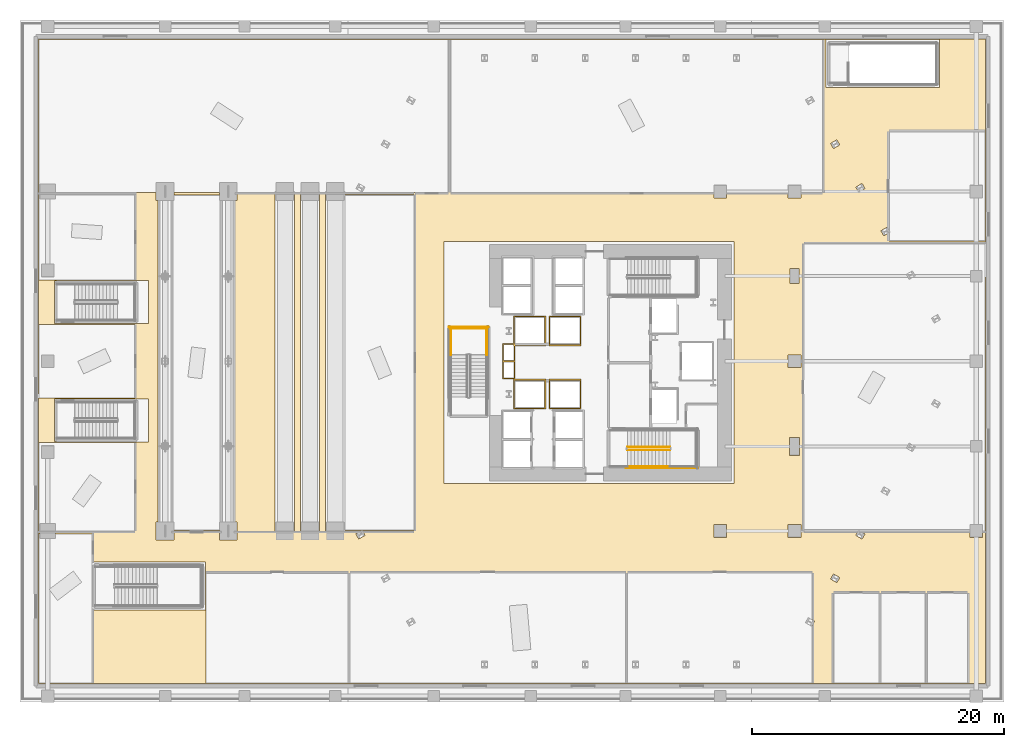
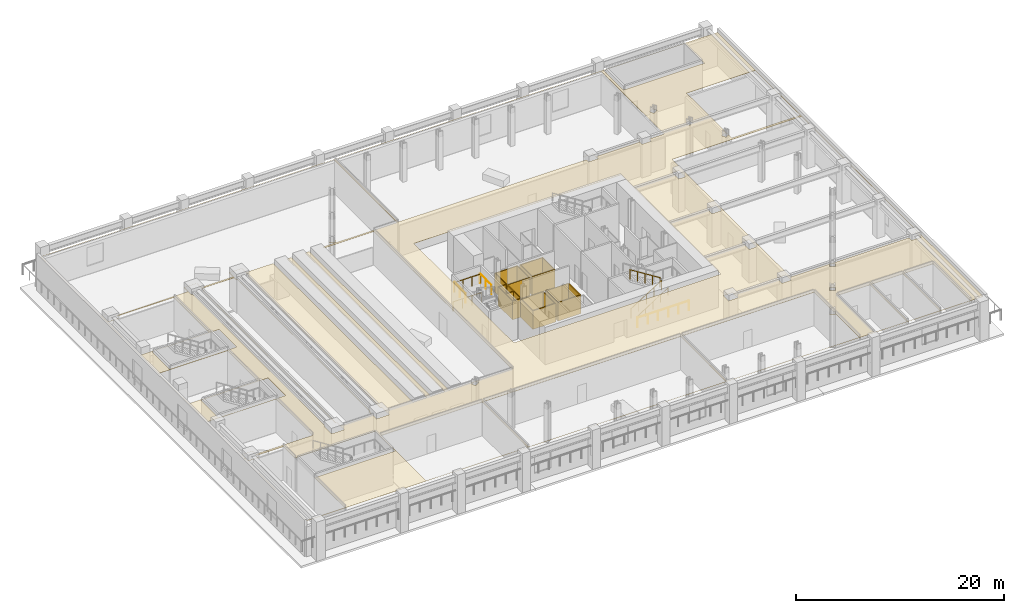
# One storey, part 18 of 24: 8 railings, 5 coverings.
"""IFC4 building model written with IfcOpenShell, lengths in metres."""

from ifc_helpers import new_model, si_unit, direction, frame, origin, origin_2d, place, context, subcontext, project, spatial, polyline, circle, outline, extrude, material, layer, layer_set, type_object, element, save


model = new_model("IFC4")

# Units and contexts
model_context = context("Model", 3, precision=1e-05, world=origin(), true_north=direction((0.0, 1.0)))
body_context = subcontext(model_context, "Body", "Model", "MODEL_VIEW")
ifc_project = project(units=[si_unit("LENGTHUNIT", "METRE"), si_unit("AREAUNIT", "SQUARE_METRE"), si_unit("VOLUMEUNIT", "CUBIC_METRE"), si_unit("PLANEANGLEUNIT", "RADIAN"), si_unit("MASSUNIT", "GRAM", prefix="KILO")], contexts=[model_context])

# Site, building, storey
site_placement = place(None, origin())
site = spatial("IfcSite", under=ifc_project, at=site_placement, CompositionType="ELEMENT")
building_placement = place(site_placement, origin())
building = spatial("IfcBuilding", under=site, at=building_placement, Name="Valkerne Bourse Tower", CompositionType="ELEMENT")
storey_placement = place(building_placement, frame((0.0, 0.0, 19.39990234375)))
storey = spatial("IfcBuildingStorey", under=building, at=storey_placement, Name="L04", CompositionType="ELEMENT", Elevation=19.39990234375)

# Coverings
ifc_material_1 = material(Name="Bronze Anodised Aluminium AA 6063-T6", Category="aluminium")
ifc_layer_1 = layer(ifc_material_1, 0.030029296875)
ifc_layer_set_1 = layer_set([ifc_layer_1], Name="Bronze Anodised Aluminium AA 6063-T6")
covering_type_1 = type_object("IfcCoveringType", Name="COV-CEIL-METAL", PredefinedType="CEILING", material=ifc_layer_set_1)
covering_1_placement = place(storey_placement, frame((0.0, 0.0, 3.9501953125)))
element("IfcCovering", 1, at=covering_1_placement, inside=storey, type_object=covering_type_1, Name="L04 Suspended Ceiling 17", PredefinedType="CEILING", context=body_context, shape_type="SweptSolid", body=[
    extrude(outline(polyline([(76.5458984375, 1.4541015625), (1.4541015625, 1.4541015625), (1.4541015625, 52.5458984375), (76.5458984375, 52.5458984375), (76.5458984375, 1.4541015625)]), holes=[polyline([(62.1376953125, 36.3095703125), (62.140380859375, 13.53759765625), (66.423583984375, 13.535888671875), (66.468017578125, 13.6015625), (66.481201171875, 13.607421875), (66.614013671875, 13.535888671875), (75.271728515625, 13.535888671875), (75.283935546875, 13.54833984375), (75.283935546875, 14.046142578125), (75.293701171875, 14.0625), (76.297119140625, 14.06591796875), (76.310791015625, 14.060302734375), (76.31591796875, 14.0498046875), (76.31689453125, 13.5439453125), (76.328857421875, 13.535888671875), (76.51220703125, 13.54052734375), (76.513916015625, 36.301513671875), (76.502685546875, 36.31396484375), (62.1376953125, 36.3095703125)]), polyline([(76.501220703125, 45.214111328125), (68.88818359375, 45.210205078125), (68.885986328125, 37.4140625), (68.98583984375, 37.231689453125), (68.978515625, 37.216552734375), (68.885986328125, 37.158203125), (68.8896484375, 36.538330078125), (76.51171875, 36.539794921875), (76.513671875, 45.204833984375), (76.501220703125, 45.214111328125)]), polyline([(71.90869140625, 8.614013671875), (71.896728515625, 8.60595703125), (71.89599609375, 1.498779296875), (71.904052734375, 1.48681640625), (75.101318359375, 1.486083984375), (75.11328125, 1.493896484375), (75.109619140625, 8.6123046875), (71.90869140625, 8.614013671875)]), polyline([(68.2587890625, 8.614013671875), (68.247314453125, 8.60693359375), (68.24609375, 1.498779296875), (68.2529296875, 1.4873046875), (71.751220703125, 1.486083984375), (71.7626953125, 1.492919921875), (71.760986328125, 8.611083984375), (68.2587890625, 8.614013671875)]), polyline([(64.498779296875, 8.614013671875), (64.4873046875, 8.60693359375), (64.486083984375, 1.498779296875), (64.492919921875, 1.4873046875), (68.10107421875, 1.486083984375), (68.11279296875, 1.492919921875), (68.11181640625, 8.6103515625), (64.498779296875, 8.614013671875)]), polyline([(34.135986328125, 52.50146484375), (34.135986328125, 40.37890625), (34.14404296875, 40.36669921875), (54.9716796875, 40.365966796875), (54.98388671875, 40.37841796875), (54.98388671875, 40.946044921875), (54.993896484375, 40.96240234375), (55.99755859375, 40.966064453125), (56.00927734375, 40.9619140625), (56.015869140625, 40.949462890625), (56.01611328125, 40.37841796875), (56.027099609375, 40.365966796875), (60.872802734375, 40.365966796875), (60.884033203125, 40.37841796875), (60.884033203125, 40.946044921875), (60.893798828125, 40.96240234375), (61.897705078125, 40.966064453125), (61.9091796875, 40.9619140625), (61.916015625, 40.949462890625), (61.916015625, 40.378662109375), (61.925048828125, 40.366455078125), (63.601318359375, 40.365966796875), (63.61328125, 40.3740234375), (63.614013671875, 52.501220703125), (63.60595703125, 52.51318359375), (34.146240234375, 52.513916015625), (34.135986328125, 52.50146484375)]), polyline([(48.14599609375, 10.201416015625), (48.14599609375, 1.498779296875), (48.153076171875, 1.4873046875), (62.801025390625, 1.486083984375), (62.812744140625, 1.492919921875), (62.81396484375, 6.02294921875), (62.79248046875, 6.03271484375), (62.76123046875, 5.982421875), (62.74169921875, 5.9794921875), (62.252685546875, 6.26171875), (62.243408203125, 6.2783203125), (62.479736328125, 6.68505859375), (62.49560546875, 6.683837890625), (62.7958984375, 6.510498046875), (62.81396484375, 6.52099609375), (62.81396484375, 10.201171875), (62.806884765625, 10.212890625), (48.1572265625, 10.214111328125), (48.14599609375, 10.201416015625)]), polyline([(48.013916015625, 10.201171875), (48.006103515625, 10.213134765625), (26.15869140625, 10.214111328125), (26.146728515625, 10.2060546875), (26.14599609375, 1.498779296875), (26.154052734375, 1.48681640625), (48.00146484375, 1.486083984375), (48.013916015625, 1.497314453125), (48.013916015625, 10.201171875)]), polyline([(25.751953125, 40.1640625), (25.751953125, 40.365966796875), (27.115966796875, 40.36767578125), (27.115234375, 40.39111328125), (26.61279296875, 40.6865234375), (26.614013671875, 40.702392578125), (26.838134765625, 41.09033203125), (26.854736328125, 41.099609375), (27.360107421875, 40.80615234375), (27.35888671875, 40.790283203125), (27.134033203125, 40.40087890625), (27.118408203125, 40.385986328125), (27.12841796875, 40.365966796875), (33.96240234375, 40.370361328125), (33.964111328125, 52.501220703125), (33.9560546875, 52.51318359375), (1.498779296875, 52.513916015625), (1.48681640625, 52.506103515625), (1.490478515625, 40.367919921875), (1.572509765625, 40.365966796875), (1.583984375, 40.37744140625), (1.583984375, 41.046142578125), (1.59375, 41.0625), (2.797119140625, 41.06591796875), (2.810546875, 41.060546875), (2.81591796875, 41.047119140625), (2.81591796875, 40.37841796875), (2.8271484375, 40.365966796875), (10.772705078125, 40.365966796875), (10.783935546875, 40.37841796875), (10.783935546875, 41.14599609375), (10.793701171875, 41.16259765625), (12.197265625, 41.166015625), (12.21044921875, 41.160400390625), (12.216064453125, 41.147216796875), (12.216064453125, 40.378662109375), (12.226318359375, 40.3662109375), (15.772705078125, 40.365966796875), (15.783935546875, 40.37841796875), (15.783935546875, 41.14599609375), (15.793701171875, 41.16259765625), (17.197265625, 41.166015625), (17.21044921875, 41.160400390625), (17.216064453125, 41.147216796875), (17.216064453125, 40.378662109375), (17.22509765625, 40.366455078125), (20.22802734375, 40.365966796875), (20.22802734375, 13.5458984375), (21.756103515625, 13.5458984375), (21.756103515625, 40.365966796875), (22.22705078125, 40.365966796875), (22.22705078125, 13.5458984375), (23.7548828125, 13.5458984375), (23.7548828125, 40.365966796875), (24.22412109375, 40.365966796875), (24.22412109375, 13.5458984375), (25.751953125, 13.5458984375), (25.751953125, 13.5859375), (27.072509765625, 13.5859375), (27.118408203125, 13.607421875), (27.1484375, 13.5859375), (31.251220703125, 13.5859375), (31.26318359375, 13.593994140625), (31.263916015625, 40.1513671875), (31.25390625, 40.163818359375), (25.751953125, 40.1640625)]), polyline([(26.00146484375, 10.214111328125), (14.73974609375, 10.211669921875), (14.73828125, 1.48974609375), (26.01025390625, 1.48828125), (26.013916015625, 10.203857421875), (26.00146484375, 10.214111328125)]), polyline([(15.946044921875, 14.25390625), (15.7958984375, 14.25390625), (15.7958984375, 12.845947265625), (17.2041015625, 12.845947265625), (17.2041015625, 14.25390625), (17.053955078125, 14.25390625), (17.053955078125, 39.74609375), (17.2041015625, 39.74609375), (17.2041015625, 41.154052734375), (15.7958984375, 41.154052734375), (15.7958984375, 39.74609375), (15.946044921875, 39.74609375), (15.946044921875, 14.25390625)]), polyline([(15.89404296875, 39.72265625), (15.8828125, 39.73388671875), (15.799560546875, 39.734619140625), (15.785400390625, 39.74755859375), (15.783935546875, 40.151611328125), (15.772705078125, 40.1640625), (12.227294921875, 40.1640625), (12.216064453125, 40.151611328125), (12.214599609375, 39.74755859375), (12.200439453125, 39.734619140625), (12.1171875, 39.73388671875), (12.10595703125, 39.721435546875), (12.10595703125, 14.27734375), (12.1171875, 14.26611328125), (12.20166015625, 14.265380859375), (12.21533203125, 14.251708984375), (12.216064453125, 13.598388671875), (12.228271484375, 13.5859375), (15.773681640625, 13.586181640625), (15.783935546875, 13.5986328125), (15.78466796875, 14.251708984375), (15.79833984375, 14.265380859375), (15.892333984375, 14.270751953125), (15.89404296875, 39.72265625)]), polyline([(10.946044921875, 14.25390625), (10.7958984375, 14.25390625), (10.7958984375, 12.845947265625), (12.2041015625, 12.845947265625), (12.2041015625, 14.25390625), (12.053955078125, 14.25390625), (12.053955078125, 39.74609375), (12.2041015625, 39.74609375), (12.2041015625, 41.154052734375), (10.7958984375, 41.154052734375), (10.7958984375, 39.74609375), (10.946044921875, 39.74609375), (10.946044921875, 14.25390625)]), polyline([(2.74609375, 33.35400390625), (2.74609375, 29.99609375), (9.35400390625, 29.99609375), (9.35400390625, 30.0), (10.199951171875, 30.0), (10.199951171875, 33.39990234375), (2.89990234375, 33.39990234375), (2.89990234375, 33.35400390625), (2.74609375, 33.35400390625)]), polyline([(2.74609375, 24.00390625), (2.74609375, 20.64599609375), (2.89990234375, 20.64599609375), (2.89990234375, 20.60009765625), (10.199951171875, 20.60009765625), (10.199951171875, 24.0), (9.35400390625, 24.0), (9.35400390625, 24.00390625), (2.74609375, 24.00390625)]), polyline([(9.1103515625, 40.211669921875), (2.8271484375, 40.214111328125), (2.81591796875, 40.201416015625), (2.81591796875, 39.8505859375), (2.8037109375, 39.835205078125), (1.602294921875, 39.833984375), (1.5908203125, 39.838134765625), (1.583984375, 39.8505859375), (1.58349609375, 40.204833984375), (1.5712890625, 40.214111328125), (1.48828125, 40.210205078125), (1.48974609375, 33.438232421875), (9.10107421875, 33.43603515625), (9.11279296875, 33.443115234375), (9.1103515625, 40.211669921875)]), polyline([(1.49853515625, 24.0859375), (9.1103515625, 24.08837890625), (9.11181640625, 29.910400390625), (1.48974609375, 29.91162109375), (1.486083984375, 24.09619140625), (1.49853515625, 24.0859375)]), polyline([(1.497802734375, 13.535888671875), (1.5712890625, 13.535888671875), (1.583740234375, 13.546142578125), (1.583984375, 14.14599609375), (1.59375, 14.16259765625), (2.797119140625, 14.166015625), (2.810546875, 14.160400390625), (2.81591796875, 14.147216796875), (2.81591796875, 13.548583984375), (2.8271484375, 13.535888671875), (9.111083984375, 13.538818359375), (9.111083984375, 20.56103515625), (1.489013671875, 20.56103515625), (1.48681640625, 13.544189453125), (1.497802734375, 13.535888671875)]), polyline([(1.48681640625, 1.493896484375), (1.498779296875, 1.486083984375), (5.72607421875, 1.48681640625), (5.73388671875, 1.498779296875), (5.733642578125, 7.300048828125), (14.699951171875, 7.300048828125), (14.699951171875, 11.10009765625), (5.7333984375, 11.10009765625), (5.733154296875, 13.305908203125), (5.72119140625, 13.31396484375), (2.8271484375, 13.31396484375), (2.81591796875, 13.301513671875), (2.81591796875, 12.950439453125), (2.8037109375, 12.935302734375), (1.602783203125, 12.93408203125), (1.589111328125, 12.939697265625), (1.583984375, 12.9501953125), (1.58349609375, 13.304931640625), (1.5712890625, 13.314208984375), (1.4873046875, 13.30859375), (1.48681640625, 1.493896484375)]), polyline([(27.12060546875, 13.59814453125), (26.62109375, 13.309814453125), (26.852294921875, 12.908935546875), (27.35205078125, 13.197509765625), (27.12060546875, 13.59814453125)]), polyline([(2.803955078125, 14.154052734375), (1.595947265625, 14.154052734375), (1.595947265625, 12.946044921875), (2.803955078125, 12.946044921875), (2.803955078125, 14.154052734375)]), polyline([(2.803955078125, 41.053955078125), (1.595947265625, 41.053955078125), (1.595947265625, 39.845947265625), (2.803955078125, 39.845947265625), (2.803955078125, 41.053955078125)]), polyline([(26.62109375, 40.690185546875), (27.12060546875, 40.40185546875), (27.35205078125, 40.802490234375), (26.852294921875, 41.091064453125), (26.62109375, 40.690185546875)]), polyline([(61.904052734375, 14.053955078125), (60.89599609375, 14.053955078125), (60.89599609375, 13.0458984375), (61.904052734375, 13.0458984375), (61.904052734375, 14.053955078125)]), polyline([(54.99609375, 14.053955078125), (54.99609375, 13.0458984375), (56.00390625, 13.0458984375), (56.00390625, 14.053955078125), (54.99609375, 14.053955078125)]), polyline([(33.60009765625, 17.300048828125), (56.60009765625, 17.300048828125), (56.60009765625, 36.5), (33.60009765625, 36.5), (33.60009765625, 17.300048828125)]), polyline([(54.99609375, 40.9541015625), (54.99609375, 39.946044921875), (56.00390625, 39.946044921875), (56.00390625, 40.9541015625), (54.99609375, 40.9541015625)]), polyline([(62.251953125, 6.276123046875), (62.751708984375, 5.98779296875), (62.98291015625, 6.388427734375), (62.4833984375, 6.677001953125), (62.251953125, 6.276123046875)]), polyline([(64.481201171875, 10.137451171875), (64.25, 9.73681640625), (64.749755859375, 9.4482421875), (64.98095703125, 9.84912109375), (64.481201171875, 10.137451171875)]), polyline([(66.479248046875, 13.59814453125), (66.248046875, 13.197509765625), (66.747802734375, 12.908935546875), (66.97900390625, 13.309814453125), (66.479248046875, 13.59814453125)]), polyline([(75.2958984375, 14.053955078125), (75.2958984375, 13.0458984375), (76.303955078125, 13.0458984375), (76.303955078125, 14.053955078125), (75.2958984375, 14.053955078125)]), polyline([(61.803955078125, 20.9541015625), (60.99609375, 20.9541015625), (60.99609375, 19.5458984375), (61.803955078125, 19.5458984375), (61.803955078125, 20.9541015625)]), polyline([(60.89599609375, 27.50390625), (60.89599609375, 26.49609375), (61.904052734375, 26.49609375), (61.904052734375, 27.50390625), (60.89599609375, 27.50390625)]), polyline([(61.75390625, 34.35400390625), (61.0458984375, 34.35400390625), (61.0458984375, 33.14599609375), (61.75390625, 33.14599609375), (61.75390625, 34.35400390625)]), polyline([(68.24609375, 37.341796875), (68.477294921875, 36.941162109375), (68.97705078125, 37.229736328125), (68.74560546875, 37.63037109375), (68.24609375, 37.341796875)]), polyline([(61.904052734375, 40.9541015625), (60.89599609375, 40.9541015625), (60.89599609375, 39.946044921875), (61.904052734375, 39.946044921875), (61.904052734375, 40.9541015625)]), polyline([(66.248046875, 40.802490234375), (66.479248046875, 40.40185546875), (66.97900390625, 40.690185546875), (66.747802734375, 41.091064453125), (66.248046875, 40.802490234375)]), polyline([(64.749755859375, 44.5517578125), (64.25, 44.26318359375), (64.481201171875, 43.862548828125), (64.98095703125, 44.15087890625), (64.749755859375, 44.5517578125)]), polyline([(63.89990234375, 48.699951171875), (72.89990234375, 48.699951171875), (72.89990234375, 52.5), (63.89990234375, 52.5), (63.89990234375, 48.699951171875)])]), origin(), (0.0, 0.0, 1.0), 0.02490234375),
])
ifc_material_2 = material(Name="Gypsum Shaftwall Liner Board", Category="gypsum")
ifc_layer_2 = layer(ifc_material_2, 0.080078125)
ifc_layer_set_2 = layer_set([ifc_layer_2], Name="Gypsum Shaftwall Liner Board")
covering_type_2 = type_object("IfcCoveringType", Name="COV-SHF-CLAD", PredefinedType="CLADDING", material=ifc_layer_set_2)
covering_2_placement = place(storey_placement, origin())
element("IfcCovering", 2, at=covering_2_placement, inside=storey, type_object=covering_type_2, Name="L04 Hoistway & Riser Shaftwall Liner 02", PredefinedType="CLADDING", context=body_context, shape_type="SweptSolid", body=[
    extrude(outline(polyline([(41.679931640625, 23.219970703125), (39.1201171875, 23.219970703125), (39.1201171875, 25.580078125), (41.679931640625, 25.580078125), (41.679931640625, 23.219970703125)]), holes=[polyline([(39.2099609375, 25.489990234375), (39.2099609375, 23.31005859375), (41.590087890625, 23.31005859375), (41.590087890625, 25.489990234375), (39.2099609375, 25.489990234375)])]), origin(), (0.0, 0.0, 1.0), 2.18017578125),
])
covering_3_placement = place(storey_placement, origin())
element("IfcCovering", 3, at=covering_3_placement, inside=storey, type_object=covering_type_2, Name="L04 Hoistway & Riser Shaftwall Liner 03", PredefinedType="CLADDING", context=body_context, shape_type="SweptSolid", body=[
    extrude(outline(polyline([(44.47998046875, 23.219970703125), (41.919921875, 23.219970703125), (41.919921875, 25.580078125), (44.47998046875, 25.580078125), (44.47998046875, 23.219970703125)]), holes=[polyline([(42.010009765625, 25.489990234375), (42.010009765625, 23.31005859375), (44.389892578125, 23.31005859375), (44.389892578125, 25.489990234375), (42.010009765625, 25.489990234375)])]), origin(), (0.0, 0.0, 1.0), 2.18017578125),
])
covering_4_placement = place(storey_placement, origin())
element("IfcCovering", 4, at=covering_4_placement, inside=storey, type_object=covering_type_2, Name="L04 Hoistway & Riser Shaftwall Liner 04", PredefinedType="CLADDING", context=body_context, shape_type="SweptSolid", body=[
    extrude(outline(polyline([(38.239990234375, 28.409912109375), (39.1201171875, 28.409912109375), (39.1201171875, 30.580078125), (41.679931640625, 30.580078125), (41.679931640625, 28.219970703125), (39.239990234375, 28.219970703125), (39.239990234375, 27.0400390625), (39.239990234375, 26.9599609375), (39.239990234375, 25.590087890625), (38.239990234375, 25.590087890625), (38.239990234375, 26.9599609375), (38.239990234375, 27.0400390625), (38.239990234375, 28.409912109375)]), holes=[polyline([(39.2099609375, 30.489990234375), (39.2099609375, 28.409912109375), (39.239990234375, 28.409912109375), (39.239990234375, 28.31005859375), (41.590087890625, 28.31005859375), (41.590087890625, 30.489990234375), (39.2099609375, 30.489990234375)]), polyline([(38.330078125, 26.949951171875), (38.330078125, 25.679931640625), (39.14990234375, 25.679931640625), (39.14990234375, 26.949951171875), (38.330078125, 26.949951171875)]), polyline([(39.1201171875, 28.219970703125), (39.1201171875, 28.320068359375), (38.330078125, 28.320068359375), (38.330078125, 27.050048828125), (39.14990234375, 27.050048828125), (39.14990234375, 28.219970703125), (39.1201171875, 28.219970703125)])]), origin(), (0.0, 0.0, 1.0), 2.18017578125),
])
covering_5_placement = place(storey_placement, origin())
element("IfcCovering", 5, at=covering_5_placement, inside=storey, type_object=covering_type_2, Name="L04 Hoistway & Riser Shaftwall Liner 10", PredefinedType="CLADDING", context=body_context, shape_type="SweptSolid", body=[
    extrude(outline(polyline([(44.47998046875, 28.219970703125), (41.919921875, 28.219970703125), (41.919921875, 30.580078125), (44.47998046875, 30.580078125), (44.47998046875, 28.219970703125)]), holes=[polyline([(42.010009765625, 30.489990234375), (42.010009765625, 28.31005859375), (44.389892578125, 28.31005859375), (44.389892578125, 30.489990234375), (42.010009765625, 30.489990234375)])]), origin(), (0.0, 0.0, 1.0), 2.18017578125),
])

# Railings
ifc_material_3 = material(Name="Galvanised Painted Steel", Category="steel")
railing_type_1 = type_object("IfcRailingType", Name="RLG-ST-GUARD-1120", PredefinedType="GUARDRAIL", material=ifc_material_3)
railing_1_placement = place(storey_placement, frame((48.14990234375, 19.949951171875, 0.177001953125)))
element("IfcRailing", 6, at=railing_1_placement, inside=storey, type_object=railing_type_1, Name="L04 ST-1 stair guard 1", PredefinedType="GUARDRAIL", context=body_context, shape_type="SweptSolid", body=[
    extrude(circle(Radius=0.02392578125, at=origin_2d()), frame((0.0, 0.0, 1.09619140625), z_axis=(0.845389635667, 0.0, 0.534150132366), x_axis=(0.0, 1.0, 0.0)), (0.0, 0.0, 1.0), 3.974609375),
    extrude(circle(Radius=0.02099609375, at=origin_2d()), origin(), (0.0, 0.0, 1.0), 1.072021484375),
    extrude(circle(Radius=0.02099609375, at=origin_2d()), frame((0.840087890625, 0.0, 0.53076171875)), (0.0, 0.0, 1.0), 1.072021484375),
    extrude(circle(Radius=0.02099609375, at=origin_2d()), frame((1.68017578125, 0.0, 1.0615234375)), (0.0, 0.0, 1.0), 1.072021484375),
    extrude(circle(Radius=0.02099609375, at=origin_2d()), frame((2.52001953125, 0.0, 1.59228515625)), (0.0, 0.0, 1.0), 1.072021484375),
    extrude(circle(Radius=0.02099609375, at=origin_2d()), frame((3.360107421875, 0.0, 2.123046875)), (0.0, 0.0, 1.0), 1.072021484375),
])
railing_2_placement = place(storey_placement, frame((51.510009765625, 20.199951171875, 2.47705078125)))
element("IfcRailing", 7, at=railing_2_placement, inside=storey, type_object=railing_type_1, Name="L04 ST-1 stair guard 6", PredefinedType="GUARDRAIL", context=body_context, shape_type="SweptSolid", body=[
    extrude(circle(Radius=0.02392578125, at=origin_2d()), frame((0.0, 0.0, 1.09619140625), z_axis=(-0.845389635667, 0.0, 0.534150132366), x_axis=(0.0, -1.0, 0.0)), (0.0, 0.0, 1.0), 3.974609375),
    extrude(circle(Radius=0.02099609375, at=origin_2d()), origin(), (0.0, 0.0, 1.0), 1.072021484375),
    extrude(circle(Radius=0.02099609375, at=origin_2d()), frame((-0.840087890625, 0.0, 0.53076171875)), (0.0, 0.0, 1.0), 1.072021484375),
    extrude(circle(Radius=0.02099609375, at=origin_2d()), frame((-1.68017578125, 0.0, 1.0615234375)), (0.0, 0.0, 1.0), 1.072021484375),
    extrude(circle(Radius=0.02099609375, at=origin_2d()), frame((-2.52001953125, 0.0, 1.59228515625)), (0.0, 0.0, 1.0), 1.072021484375),
    extrude(circle(Radius=0.02099609375, at=origin_2d()), frame((-3.360107421875, 0.0, 2.123046875)), (0.0, 0.0, 1.0), 1.072021484375),
])
railing_3_placement = place(storey_placement, frame((48.050048828125, 18.550048828125, 0.0)))
element("IfcRailing", 8, at=railing_3_placement, inside=storey, type_object=railing_type_1, Name="L04 ST-1 stair guard 10", PredefinedType="GUARDRAIL", context=body_context, shape_type="SweptSolid", body=[
    extrude(circle(Radius=0.02392578125, at=origin_2d()), frame((0.0, 0.0, 1.09619140625), z_axis=(1.0, 0.0, 0.0), x_axis=(0.0, 1.0, 0.0)), (0.0, 0.0, 1.0), 5.699951171875),
    extrude(circle(Radius=0.02099609375, at=origin_2d()), origin(), (0.0, 0.0, 1.0), 1.072021484375),
    extrude(circle(Radius=0.02099609375, at=origin_2d()), frame((1.139892578125, 0.0, 0.0)), (0.0, 0.0, 1.0), 1.072021484375),
    extrude(circle(Radius=0.02099609375, at=origin_2d()), frame((2.280029296875, 0.0, 0.0)), (0.0, 0.0, 1.0), 1.072021484375),
    extrude(circle(Radius=0.02099609375, at=origin_2d()), frame((3.419921875, 0.0, 0.0)), (0.0, 0.0, 1.0), 1.072021484375),
    extrude(circle(Radius=0.02099609375, at=origin_2d()), frame((4.56005859375, 0.0, 0.0)), (0.0, 0.0, 1.0), 1.072021484375),
    extrude(circle(Radius=0.02099609375, at=origin_2d()), frame((5.699951171875, 0.0, 0.0)), (0.0, 0.0, 1.0), 1.072021484375),
])
for number, where, name in (
    (9, (37.0, 27.510009765625, 2.300048828125), "L04 ST-3 stair guard 3"),
    (10, (34.14990234375, 27.510009765625, 2.300048828125), "L04 ST-3 stair guard 4"),
):
    element("IfcRailing", number, at=place(storey_placement, frame(where)), inside=storey, type_object=railing_type_1, Name=name, PredefinedType="GUARDRAIL", context=body_context, shape_type="SweptSolid", body=[
        extrude(circle(Radius=0.02392578125, at=origin_2d()), frame((0.0, 0.0, 1.09619140625), z_axis=(0.0, 1.0, 0.0), x_axis=(-1.0, 0.0, 0.0)), (0.0, 0.0, 1.0), 2.139892578125),
        extrude(circle(Radius=0.02099609375, at=origin_2d()), origin(), (0.0, 0.0, 1.0), 1.072021484375),
        extrude(circle(Radius=0.02099609375, at=origin_2d()), frame((0.0, 1.06982421875, 0.0)), (0.0, 0.0, 1.0), 1.072021484375),
        extrude(circle(Radius=0.02099609375, at=origin_2d()), frame((0.0, 2.139892578125, 0.0)), (0.0, 0.0, 1.0), 1.072021484375),
    ])
railing_4_placement = place(storey_placement, frame((37.050048828125, 29.60009765625, 2.300048828125)))
element("IfcRailing", 11, at=railing_4_placement, inside=storey, type_object=railing_type_1, Name="L04 ST-3 stair guard 5", PredefinedType="GUARDRAIL", context=body_context, shape_type="SweptSolid", body=[
    extrude(circle(Radius=0.02392578125, at=origin_2d()), frame((0.0, 0.0, 1.09619140625), z_axis=(-1.0, 0.0, 0.0), x_axis=(0.0, -1.0, 0.0)), (0.0, 0.0, 1.0), 2.949951171875),
    extrude(circle(Radius=0.02099609375, at=origin_2d()), origin(), (0.0, 0.0, 1.0), 1.072021484375),
    extrude(circle(Radius=0.02099609375, at=origin_2d()), frame((-0.9833984375, 0.0, 0.0)), (0.0, 0.0, 1.0), 1.072021484375),
    extrude(circle(Radius=0.02099609375, at=origin_2d()), frame((-1.966552734375, 0.0, 0.0)), (0.0, 0.0, 1.0), 1.072021484375),
    extrude(circle(Radius=0.02099609375, at=origin_2d()), frame((-2.949951171875, 0.0, 0.0)), (0.0, 0.0, 1.0), 1.072021484375),
])
railing_5_placement = place(storey_placement, frame((37.14990234375, 29.699951171875, 0.0)))
element("IfcRailing", 12, at=railing_5_placement, inside=storey, type_object=railing_type_1, Name="L04 ST-3 stair guard 12", PredefinedType="GUARDRAIL", context=body_context, shape_type="SweptSolid", body=[
    extrude(circle(Radius=0.02392578125, at=origin_2d()), frame((0.0, 0.0, 1.09619140625), z_axis=(-1.0, 0.0, 0.0), x_axis=(0.0, -1.0, 0.0)), (0.0, 0.0, 1.0), 3.14990234375),
    extrude(circle(Radius=0.02099609375, at=origin_2d()), origin(), (0.0, 0.0, 1.0), 1.072021484375),
    extrude(circle(Radius=0.02099609375, at=origin_2d()), frame((-1.050048828125, 0.0, 0.0)), (0.0, 0.0, 1.0), 1.072021484375),
    extrude(circle(Radius=0.02099609375, at=origin_2d()), frame((-2.099853515625, 0.0, 0.0)), (0.0, 0.0, 1.0), 1.072021484375),
    extrude(circle(Radius=0.02099609375, at=origin_2d()), frame((-3.14990234375, 0.0, 0.0)), (0.0, 0.0, 1.0), 1.072021484375),
])
ifc_material_4 = material(Name="Stainless Steel AISI 316", Category="steel")
railing_type_2 = type_object("IfcRailingType", Name="RLG-ST-HANDRAIL-900", PredefinedType="HANDRAIL", material=ifc_material_4)
railing_6_placement = place(storey_placement, frame((48.14990234375, 18.64990234375, 0.35400390625)))
element("IfcRailing", 13, at=railing_6_placement, inside=storey, type_object=railing_type_2, Name="L04 ST-1 stair handrail 1", PredefinedType="HANDRAIL", context=body_context, shape_type="SweptSolid", body=[
    extrude(circle(Radius=0.02392578125, at=origin_2d()), frame((0.0, 0.0, 0.8759765625), z_axis=(0.845389635667, 0.0, 0.534150132366), x_axis=(0.0, 1.0, 0.0)), (0.0, 0.0, 1.0), 3.974609375),
    extrude(circle(Radius=0.02099609375, at=origin_2d()), origin(), (0.0, 0.0, 1.0), 0.851806640625),
    extrude(circle(Radius=0.02099609375, at=origin_2d()), frame((0.840087890625, 0.0, 0.53076171875)), (0.0, 0.0, 1.0), 0.851806640625),
    extrude(circle(Radius=0.02099609375, at=origin_2d()), frame((1.68017578125, 0.0, 1.0615234375)), (0.0, 0.0, 1.0), 0.851806640625),
    extrude(circle(Radius=0.02099609375, at=origin_2d()), frame((2.52001953125, 0.0, 1.59228515625)), (0.0, 0.0, 1.0), 0.851806640625),
    extrude(circle(Radius=0.02099609375, at=origin_2d()), frame((3.360107421875, 0.0, 2.123046875)), (0.0, 0.0, 1.0), 0.851806640625),
])

save(model, "model.ifc")
